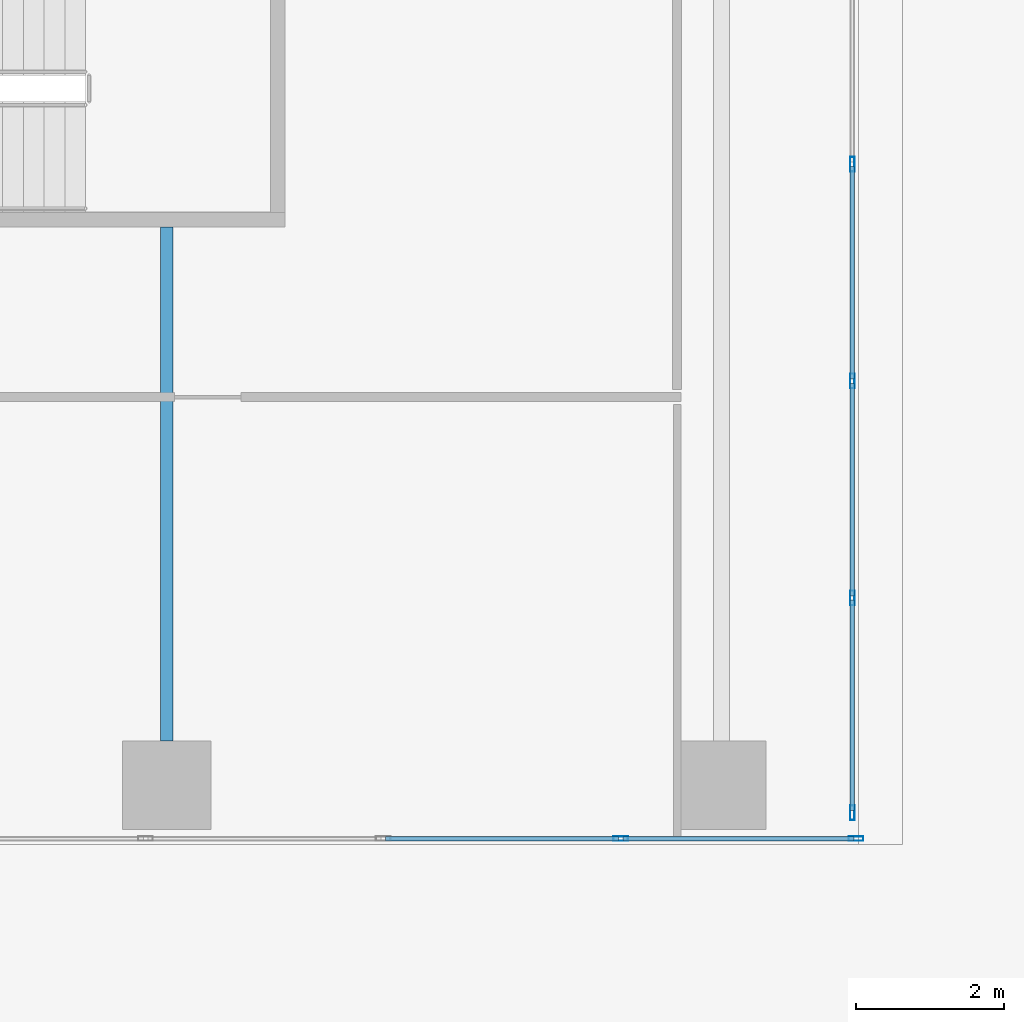
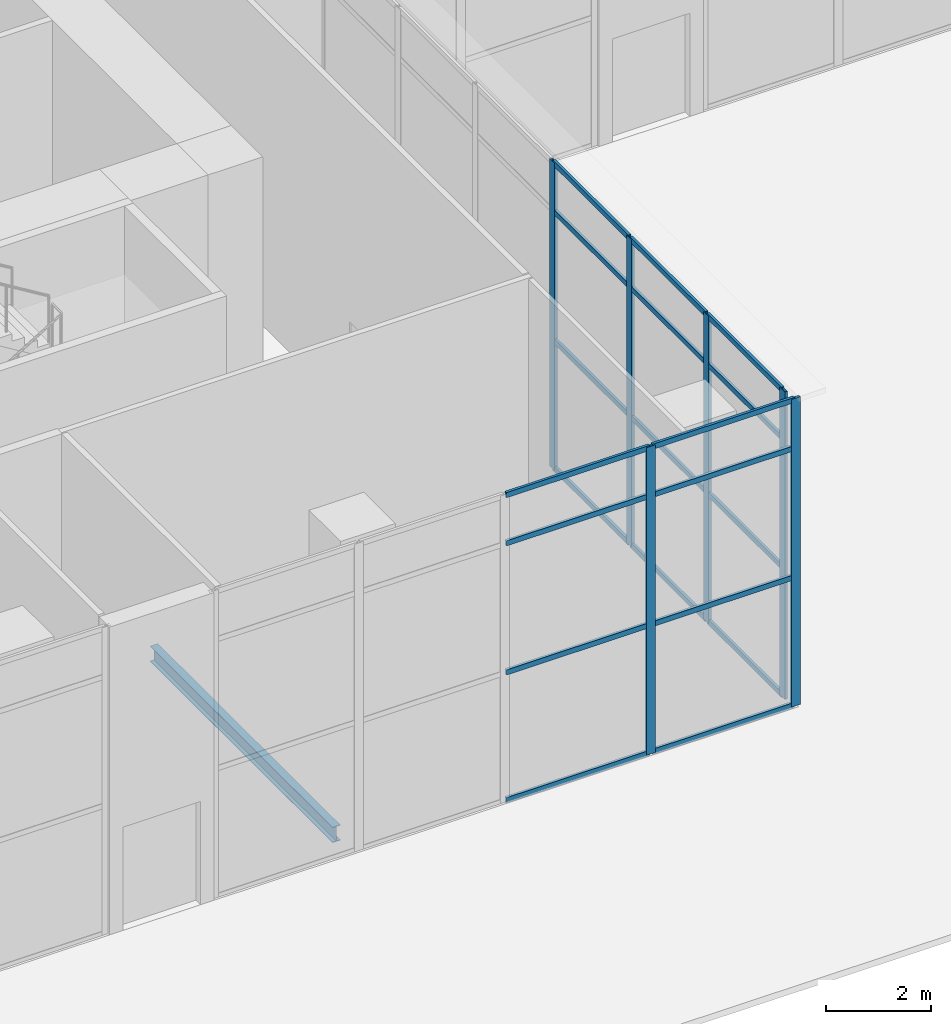
# One storey, part 7 of 52: 26 members, 1 beam, 2 elements without a shape of their own.
"""IFC4 building model written with IfcOpenShell, lengths in metres."""

from ifc_helpers import new_model, si_unit, direction, frame, origin, origin_2d, place, context, subcontext, project, spatial, hollow_rectangle, i_section, extrude, source, transform, mapped, material, material_profile, profile_set, type_object, element, aggregate, save


model = new_model("IFC4")

# Units and contexts
model_context = context("Model", 3, precision=1e-05, world=origin(), true_north=direction((0.0, 1.0)))
body_context = subcontext(model_context, "Body", "Model", "MODEL_VIEW")
ifc_project = project(units=[si_unit("LENGTHUNIT", "METRE"), si_unit("AREAUNIT", "SQUARE_METRE"), si_unit("VOLUMEUNIT", "CUBIC_METRE"), si_unit("PLANEANGLEUNIT", "RADIAN"), si_unit("MASSUNIT", "GRAM", prefix="KILO")], contexts=[model_context])

# Site, building, storey
site_placement = place(None, origin())
site = spatial("IfcSite", under=ifc_project, at=site_placement, CompositionType="ELEMENT")
building_placement = place(site_placement, origin())
building = spatial("IfcBuilding", under=site, at=building_placement, Name="Khomas Fold Tower", CompositionType="ELEMENT")
storey_placement = place(building_placement, origin())
storey = spatial("IfcBuildingStorey", under=building, at=storey_placement, Name="L00", CompositionType="ELEMENT", Elevation=0.0)

# Beam
ifc_material_1 = material(Name="Steel S355", Category="steel")
ifc_material_profile_1 = material_profile(ifc_material_1, i_section(OverallWidth=0.169921875, OverallDepth=0.360107421875, WebThickness=0.008056640625, FlangeThickness=0.0126953125, at=origin_2d()), Name="IPE 360")
ifc_profile_set_1 = profile_set([ifc_material_profile_1], Name="Steel S355")
beam_type = type_object("IfcBeamType", Name="IPE 360 beam JB2", PredefinedType="BEAM", material=ifc_profile_set_1)
shared_shape_1 = source(origin(), body_context, "Body", "SweptSolid", [
    extrude(i_section(OverallWidth=0.169921875, OverallDepth=0.360107421875, WebThickness=0.008056640625, FlangeThickness=0.0126953125, at=origin_2d()), origin(), (0.0, 0.0, 1.0), 6.9501953125),
])
beam_placement = place(storey_placement, frame((19.5, 1.39990234375, -0.530029296875), z_axis=(0.0, 1.0, 0.0), x_axis=(-1.0, 0.0, 0.0)))
element("IfcBeam", 1, at=beam_placement, inside=storey, type_object=beam_type, Name="JB2", PredefinedType="BEAM", context=body_context, shape_type="MappedRepresentation", body=[
    mapped(shared_shape_1, transform((0.0, 0.0, 0.0))),
])

# Curtain wall, members
ifc_material_2 = material(Name="Aluminium framed double glazing", Category="aluminium")
curtain_wall_type = type_object("IfcCurtainWallType", Name="Shopfront glazing PD-CW", PredefinedType="NOTDEFINED", material=ifc_material_2)
curtain_wall_1_placement = place(storey_placement, origin())
curtain_wall_1 = element("IfcCurtainWall", 2, at=curtain_wall_1_placement, inside=storey, type_object=curtain_wall_type, Name="Podium shopfront run", PredefinedType="NOTDEFINED")
ifc_material_3 = material(Name="Aluminium", Category="aluminium")
ifc_material_profile_2 = material_profile(ifc_material_3, hollow_rectangle(XDim=0.06005859375, YDim=0.199951171875, WallThickness=0.00390625, at=origin_2d()), Name="Shopfront glazing mullion PD-CW-M")
ifc_profile_set_2 = profile_set([ifc_material_profile_2], Name="Aluminium")
member_type_1 = type_object("IfcMemberType", Name="Shopfront glazing mullion PD-CW-M", PredefinedType="MULLION", material=ifc_profile_set_2)
shared_shape_2 = source(origin(), body_context, "Body", "SweptSolid", [
    extrude(hollow_rectangle(XDim=0.06005859375, YDim=0.199951171875, WallThickness=0.00390625, at=origin_2d()), origin(), (0.0, 0.0, 1.0), 7.14990234375),
])
member_1_placement = place(storey_placement, frame((25.637451171875, 0.080078125, 0.0), z_axis=(0.0, 0.0, 1.0), x_axis=(0.0, 1.0, 0.0)))
member_1 = element("IfcMember", 3, at=member_1_placement, type_object=member_type_1, Name="PD-CW mullion 4", PredefinedType="MULLION", context=body_context, shape_type="MappedRepresentation", body=[
    mapped(shared_shape_2, transform((0.0, 0.0, 0.0))),
])
member_2_placement = place(storey_placement, frame((28.820068359375, 0.080078125, 0.0), z_axis=(0.0, 0.0, 1.0), x_axis=(0.0, 1.0, 0.0)))
member_2 = element("IfcMember", 4, at=member_2_placement, type_object=member_type_1, Name="PD-CW mullion 5", PredefinedType="MULLION", context=body_context, shape_type="MappedRepresentation", body=[
    mapped(shared_shape_2, transform((0.0, 0.0, 0.0))),
])

curtain_wall_2_placement = place(storey_placement, origin())
curtain_wall_2 = element("IfcCurtainWall", 5, at=curtain_wall_2_placement, inside=storey, type_object=curtain_wall_type, Name="Podium shopfront run", PredefinedType="NOTDEFINED")
member_3_placement = place(storey_placement, frame((28.77001953125, 0.429931640625, 0.0), z_axis=(0.0, 0.0, 1.0), x_axis=(-1.0, 0.0, 0.0)))
member_3 = element("IfcMember", 6, at=member_3_placement, type_object=member_type_1, Name="PD-CW mullion 1", PredefinedType="MULLION", context=body_context, shape_type="MappedRepresentation", body=[
    mapped(shared_shape_2, transform((0.0, 0.0, 0.0))),
])
member_4_placement = place(storey_placement, frame((28.77001953125, 3.333251953125, 0.0), z_axis=(0.0, 0.0, 1.0), x_axis=(-1.0, 0.0, 0.0)))
member_4 = element("IfcMember", 7, at=member_4_placement, type_object=member_type_1, Name="PD-CW mullion 2", PredefinedType="MULLION", context=body_context, shape_type="MappedRepresentation", body=[
    mapped(shared_shape_2, transform((0.0, 0.0, 0.0))),
])
member_5_placement = place(storey_placement, frame((28.77001953125, 6.2666015625, 0.0), z_axis=(0.0, 0.0, 1.0), x_axis=(-1.0, 0.0, 0.0)))
member_5 = element("IfcMember", 8, at=member_5_placement, type_object=member_type_1, Name="PD-CW mullion 3", PredefinedType="MULLION", context=body_context, shape_type="MappedRepresentation", body=[
    mapped(shared_shape_2, transform((0.0, 0.0, 0.0))),
])
member_6_placement = place(storey_placement, frame((28.77001953125, 9.199951171875, 0.0), z_axis=(0.0, 0.0, 1.0), x_axis=(-1.0, 0.0, 0.0)))
member_6 = element("IfcMember", 9, at=member_6_placement, type_object=member_type_1, Name="PD-CW mullion 4", PredefinedType="MULLION", context=body_context, shape_type="MappedRepresentation", body=[
    mapped(shared_shape_2, transform((0.0, 0.0, 0.0))),
])

# Member
ifc_material_4 = material(Name="Aluminium", Category="aluminium")
ifc_material_profile_3 = material_profile(ifc_material_4, hollow_rectangle(XDim=0.06005859375, YDim=0.1201171875, WallThickness=0.00390625, at=origin_2d()), Name="Shopfront glazing transom PD-CW-T")
ifc_profile_set_3 = profile_set([ifc_material_profile_3], Name="Aluminium")
member_type_2 = type_object("IfcMemberType", Name="Shopfront glazing transom PD-CW-T", PredefinedType="USERDEFINED", material=ifc_profile_set_3)
shared_shape_3 = source(origin(), body_context, "Body", "SweptSolid", [
    extrude(hollow_rectangle(XDim=0.06005859375, YDim=0.1201171875, WallThickness=0.00390625, at=origin_2d()), origin(), (0.0, 0.0, 1.0), 3.12255859375),
])
member_7_placement = place(storey_placement, frame((25.66748046875, 0.080078125, 0.030029296875), z_axis=(1.0, 0.0, 0.0), x_axis=(0.0, 1.0, 0.0)))
member_7 = element("IfcMember", 10, at=member_7_placement, type_object=member_type_2, Name="PD-CW transom 4.1", ObjectType="TRANSOM", PredefinedType="USERDEFINED", context=body_context, shape_type="MappedRepresentation", body=[
    mapped(shared_shape_3, transform((0.0, 0.0, 0.0))),
])

member_8_placement = place(storey_placement, frame((25.66748046875, 0.080078125, 3.0), z_axis=(1.0, 0.0, 0.0), x_axis=(0.0, 1.0, 0.0)))
member_8 = element("IfcMember", 11, at=member_8_placement, type_object=member_type_2, Name="PD-CW transom 4.2", ObjectType="TRANSOM", PredefinedType="USERDEFINED", context=body_context, shape_type="MappedRepresentation", body=[
    mapped(shared_shape_3, transform((0.0, 0.0, 0.0))),
])

member_9_placement = place(storey_placement, frame((25.66748046875, 0.080078125, 6.0), z_axis=(1.0, 0.0, 0.0), x_axis=(0.0, 1.0, 0.0)))
member_9 = element("IfcMember", 12, at=member_9_placement, type_object=member_type_2, Name="PD-CW transom 4.3", ObjectType="TRANSOM", PredefinedType="USERDEFINED", context=body_context, shape_type="MappedRepresentation", body=[
    mapped(shared_shape_3, transform((0.0, 0.0, 0.0))),
])

member_10_placement = place(storey_placement, frame((25.66748046875, 0.080078125, 7.1201171875), z_axis=(1.0, 0.0, 0.0), x_axis=(0.0, 1.0, 0.0)))
member_10 = element("IfcMember", 13, at=member_10_placement, type_object=member_type_2, Name="PD-CW transom 4.4", ObjectType="TRANSOM", PredefinedType="USERDEFINED", context=body_context, shape_type="MappedRepresentation", body=[
    mapped(shared_shape_3, transform((0.0, 0.0, 0.0))),
])

shared_shape_4 = source(origin(), body_context, "Body", "SweptSolid", [
    extrude(hollow_rectangle(XDim=0.06005859375, YDim=0.1201171875, WallThickness=0.00390625, at=origin_2d()), origin(), (0.0, 0.0, 1.0), 3.15234375),
])
member_11_placement = place(storey_placement, frame((22.455078125, 0.080078125, 0.030029296875), z_axis=(1.0, 0.0, 0.0), x_axis=(0.0, 1.0, 0.0)))
member_11 = element("IfcMember", 14, at=member_11_placement, type_object=member_type_2, Name="PD-CW transom 3.1", ObjectType="TRANSOM", PredefinedType="USERDEFINED", context=body_context, shape_type="MappedRepresentation", body=[
    mapped(shared_shape_4, transform((0.0, 0.0, 0.0))),
])

member_12_placement = place(storey_placement, frame((22.455078125, 0.080078125, 3.0), z_axis=(1.0, 0.0, 0.0), x_axis=(0.0, 1.0, 0.0)))
member_12 = element("IfcMember", 15, at=member_12_placement, type_object=member_type_2, Name="PD-CW transom 3.2", ObjectType="TRANSOM", PredefinedType="USERDEFINED", context=body_context, shape_type="MappedRepresentation", body=[
    mapped(shared_shape_4, transform((0.0, 0.0, 0.0))),
])

member_13_placement = place(storey_placement, frame((22.455078125, 0.080078125, 6.0), z_axis=(1.0, 0.0, 0.0), x_axis=(0.0, 1.0, 0.0)))
member_13 = element("IfcMember", 16, at=member_13_placement, type_object=member_type_2, Name="PD-CW transom 3.3", ObjectType="TRANSOM", PredefinedType="USERDEFINED", context=body_context, shape_type="MappedRepresentation", body=[
    mapped(shared_shape_4, transform((0.0, 0.0, 0.0))),
])

member_14_placement = place(storey_placement, frame((22.455078125, 0.080078125, 7.1201171875), z_axis=(1.0, 0.0, 0.0), x_axis=(0.0, 1.0, 0.0)))
member_14 = element("IfcMember", 17, at=member_14_placement, type_object=member_type_2, Name="PD-CW transom 3.4", ObjectType="TRANSOM", PredefinedType="USERDEFINED", context=body_context, shape_type="MappedRepresentation", body=[
    mapped(shared_shape_4, transform((0.0, 0.0, 0.0))),
])

aggregate(curtain_wall_1, [member_1, member_2, member_11, member_12, member_13, member_14, member_7, member_8, member_9, member_10])

shared_shape_5 = source(origin(), body_context, "Body", "SweptSolid", [
    extrude(hollow_rectangle(XDim=0.06005859375, YDim=0.1201171875, WallThickness=0.00390625, at=origin_2d()), origin(), (0.0, 0.0, 1.0), 2.84326171875),
])
member_15_placement = place(storey_placement, frame((28.77001953125, 0.4599609375, 0.030029296875), z_axis=(0.0, 1.0, 0.0), x_axis=(-1.0, 0.0, 0.0)))
member_15 = element("IfcMember", 18, at=member_15_placement, type_object=member_type_2, Name="PD-CW transom 1.1", ObjectType="TRANSOM", PredefinedType="USERDEFINED", context=body_context, shape_type="MappedRepresentation", body=[
    mapped(shared_shape_5, transform((0.0, 0.0, 0.0))),
])

member_16_placement = place(storey_placement, frame((28.77001953125, 0.4599609375, 3.0), z_axis=(0.0, 1.0, 0.0), x_axis=(-1.0, 0.0, 0.0)))
member_16 = element("IfcMember", 19, at=member_16_placement, type_object=member_type_2, Name="PD-CW transom 1.2", ObjectType="TRANSOM", PredefinedType="USERDEFINED", context=body_context, shape_type="MappedRepresentation", body=[
    mapped(shared_shape_5, transform((0.0, 0.0, 0.0))),
])

member_17_placement = place(storey_placement, frame((28.77001953125, 0.4599609375, 6.0), z_axis=(0.0, 1.0, 0.0), x_axis=(-1.0, 0.0, 0.0)))
member_17 = element("IfcMember", 20, at=member_17_placement, type_object=member_type_2, Name="PD-CW transom 1.3", ObjectType="TRANSOM", PredefinedType="USERDEFINED", context=body_context, shape_type="MappedRepresentation", body=[
    mapped(shared_shape_5, transform((0.0, 0.0, 0.0))),
])

member_18_placement = place(storey_placement, frame((28.77001953125, 0.4599609375, 7.1201171875), z_axis=(0.0, 1.0, 0.0), x_axis=(-1.0, 0.0, 0.0)))
member_18 = element("IfcMember", 21, at=member_18_placement, type_object=member_type_2, Name="PD-CW transom 1.4", ObjectType="TRANSOM", PredefinedType="USERDEFINED", context=body_context, shape_type="MappedRepresentation", body=[
    mapped(shared_shape_5, transform((0.0, 0.0, 0.0))),
])

shared_shape_6 = source(origin(), body_context, "Body", "SweptSolid", [
    extrude(hollow_rectangle(XDim=0.06005859375, YDim=0.1201171875, WallThickness=0.00390625, at=origin_2d()), origin(), (0.0, 0.0, 1.0), 2.873291015625),
])
member_19_placement = place(storey_placement, frame((28.77001953125, 3.36328125, 0.030029296875), z_axis=(0.0, 1.0, 0.0), x_axis=(-1.0, 0.0, 0.0)))
member_19 = element("IfcMember", 22, at=member_19_placement, type_object=member_type_2, Name="PD-CW transom 2.1", ObjectType="TRANSOM", PredefinedType="USERDEFINED", context=body_context, shape_type="MappedRepresentation", body=[
    mapped(shared_shape_6, transform((0.0, 0.0, 0.0))),
])

member_20_placement = place(storey_placement, frame((28.77001953125, 3.36328125, 3.0), z_axis=(0.0, 1.0, 0.0), x_axis=(-1.0, 0.0, 0.0)))
member_20 = element("IfcMember", 23, at=member_20_placement, type_object=member_type_2, Name="PD-CW transom 2.2", ObjectType="TRANSOM", PredefinedType="USERDEFINED", context=body_context, shape_type="MappedRepresentation", body=[
    mapped(shared_shape_6, transform((0.0, 0.0, 0.0))),
])

member_21_placement = place(storey_placement, frame((28.77001953125, 3.36328125, 6.0), z_axis=(0.0, 1.0, 0.0), x_axis=(-1.0, 0.0, 0.0)))
member_21 = element("IfcMember", 24, at=member_21_placement, type_object=member_type_2, Name="PD-CW transom 2.3", ObjectType="TRANSOM", PredefinedType="USERDEFINED", context=body_context, shape_type="MappedRepresentation", body=[
    mapped(shared_shape_6, transform((0.0, 0.0, 0.0))),
])

member_22_placement = place(storey_placement, frame((28.77001953125, 3.36328125, 7.1201171875), z_axis=(0.0, 1.0, 0.0), x_axis=(-1.0, 0.0, 0.0)))
member_22 = element("IfcMember", 25, at=member_22_placement, type_object=member_type_2, Name="PD-CW transom 2.4", ObjectType="TRANSOM", PredefinedType="USERDEFINED", context=body_context, shape_type="MappedRepresentation", body=[
    mapped(shared_shape_6, transform((0.0, 0.0, 0.0))),
])

member_23_placement = place(storey_placement, frame((28.77001953125, 6.296630859375, 0.030029296875), z_axis=(0.0, 1.0, 0.0), x_axis=(-1.0, 0.0, 0.0)))
member_23 = element("IfcMember", 26, at=member_23_placement, type_object=member_type_2, Name="PD-CW transom 3.1", ObjectType="TRANSOM", PredefinedType="USERDEFINED", context=body_context, shape_type="MappedRepresentation", body=[
    mapped(shared_shape_6, transform((0.0, 0.0, 0.0))),
])

member_24_placement = place(storey_placement, frame((28.77001953125, 6.296630859375, 3.0), z_axis=(0.0, 1.0, 0.0), x_axis=(-1.0, 0.0, 0.0)))
member_24 = element("IfcMember", 27, at=member_24_placement, type_object=member_type_2, Name="PD-CW transom 3.2", ObjectType="TRANSOM", PredefinedType="USERDEFINED", context=body_context, shape_type="MappedRepresentation", body=[
    mapped(shared_shape_6, transform((0.0, 0.0, 0.0))),
])

member_25_placement = place(storey_placement, frame((28.77001953125, 6.296630859375, 6.0), z_axis=(0.0, 1.0, 0.0), x_axis=(-1.0, 0.0, 0.0)))
member_25 = element("IfcMember", 28, at=member_25_placement, type_object=member_type_2, Name="PD-CW transom 3.3", ObjectType="TRANSOM", PredefinedType="USERDEFINED", context=body_context, shape_type="MappedRepresentation", body=[
    mapped(shared_shape_6, transform((0.0, 0.0, 0.0))),
])

member_26_placement = place(storey_placement, frame((28.77001953125, 6.296630859375, 7.1201171875), z_axis=(0.0, 1.0, 0.0), x_axis=(-1.0, 0.0, 0.0)))
member_26 = element("IfcMember", 29, at=member_26_placement, type_object=member_type_2, Name="PD-CW transom 3.4", ObjectType="TRANSOM", PredefinedType="USERDEFINED", context=body_context, shape_type="MappedRepresentation", body=[
    mapped(shared_shape_6, transform((0.0, 0.0, 0.0))),
])

aggregate(curtain_wall_2, [member_3, member_4, member_5, member_6, member_15, member_16, member_17, member_18, member_19, member_20, member_21, member_22, member_23, member_24, member_25, member_26])

save(model, "model.ifc")
